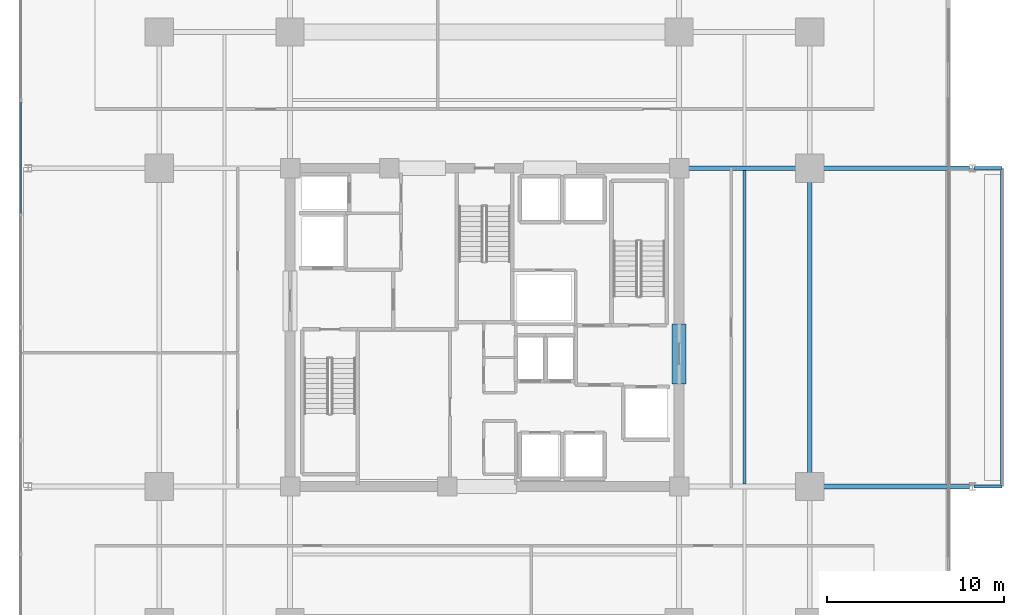
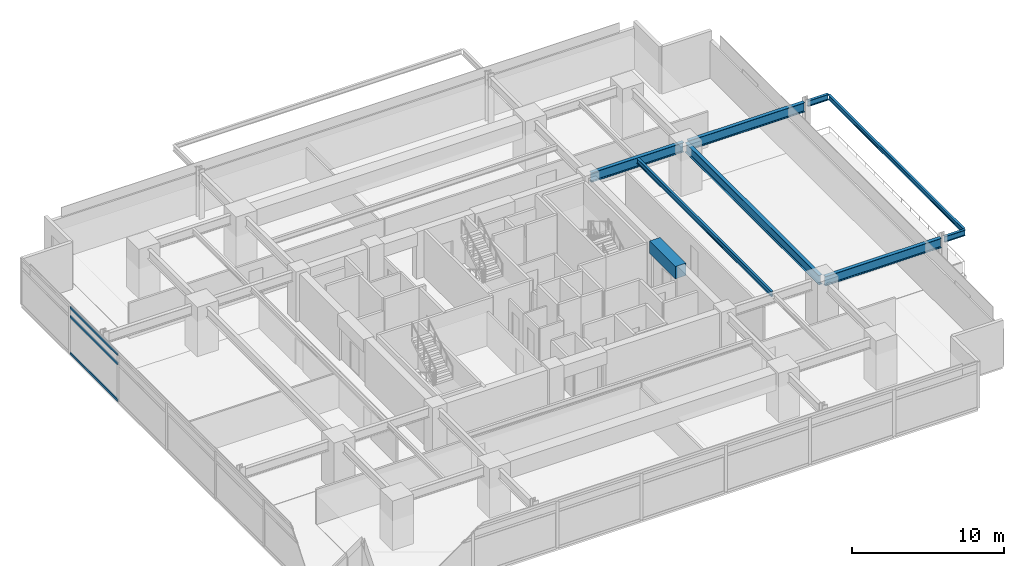
# One storey, part 9 of 20: 9 beams, 3 members, 1 element without a shape of its own.
"""IFC4 building model written with IfcOpenShell, lengths in metres."""

import ifcopenshell
import ifcopenshell.guid

model = None  # the IFC model being written
_history = None  # IfcOwnerHistory: only IFC2X3 demands one
_inside = {}  # id of a spatial element -> (the spatial element, [elements in it])
_under = {}  # id of a project, library or spatial element -> (it, [spatial elements below it])
_declared = {}  # id of a project -> (the project, [libraries it declares])
_typed = {}  # id of a type object -> (the type object, [elements of that type])
_made_of = {}  # id of a material, layer set ... -> (it, [elements and type objects made of it])


def new_model(schema):
    """Start an empty IFC model of exactly this schema.

    Asked for "IFC4X3", IfcOpenShell would pick the latest addendum, in which some entities
    have other attributes; the version numbers below select the first issue.
    IFC2X3 requires an IfcOwnerHistory on every rooted entity: one is made here for all.
    """
    global model, _history
    if schema == "IFC4X3":
        model = ifcopenshell.file(schema_version=(4, 3, 0, 0))
    else:
        model = ifcopenshell.file(schema=schema)
    _inside.clear()
    _under.clear()
    _declared.clear()
    _typed.clear()
    _made_of.clear()
    _history = None
    if model.schema == "IFC2X3":
        org = make("IfcOrganization", Name="unknown")
        user = make(
            "IfcPersonAndOrganization",
            ThePerson=make("IfcPerson", FamilyName="unknown"),
            TheOrganization=org,
        )
        app = make(
            "IfcApplication",
            ApplicationDeveloper=org,
            Version="unknown",
            ApplicationFullName="unknown",
            ApplicationIdentifier="unknown",
        )
        _history = make(
            "IfcOwnerHistory",
            OwningUser=user,
            OwningApplication=app,
            ChangeAction="ADDED",
            CreationDate=0,
        )
    return model


def make(cls, **values):
    """One entity of the class cls with the attributes given. An attribute that is None is left unset."""
    return model.create_entity(
        cls, **{name: value for name, value in values.items() if value is not None}
    )


def rooted(cls, **values):
    """An entity with a GlobalId (a new one), such as an element, a storey or a relation."""
    return make(cls, GlobalId=ifcopenshell.guid.new(), OwnerHistory=_history, **values)


def si_unit(unit_type, name, prefix=None):
    """IfcSIUnit, for example si_unit("LENGTHUNIT", "METRE", prefix="MILLI")."""
    return make("IfcSIUnit", UnitType=unit_type, Prefix=prefix, Name=name)


def assignment(units):
    """IfcUnitAssignment: the units of a project."""
    return None if units is None else make("IfcUnitAssignment", Units=units)


def point(xyz):
    """IfcCartesianPoint."""
    return None if xyz is None else make("IfcCartesianPoint", Coordinates=xyz)


def direction(xyz):
    """IfcDirection."""
    return None if xyz is None else make("IfcDirection", DirectionRatios=xyz)


def frame(location, z_axis=None, x_axis=None):
    """IfcAxis2Placement3D, a coordinate frame: its origin and axes. An axis left out is left unset."""
    return make(
        "IfcAxis2Placement3D",
        Location=point(location),
        Axis=direction(z_axis),
        RefDirection=direction(x_axis),
    )


def frame_2d(location, x_axis=None):
    """IfcAxis2Placement2D, a coordinate frame in the plane: its origin and x axis."""
    return make(
        "IfcAxis2Placement2D", Location=point(location), RefDirection=direction(x_axis)
    )


def origin():
    """The frame at (0, 0, 0) with its axes left unset."""
    return frame((0.0, 0.0, 0.0))


def origin_2d():
    """The frame at (0, 0) in the plane with its x axis left unset."""
    return frame_2d((0.0, 0.0))


def place(relative_to, where):
    """IfcLocalPlacement: puts the frame where relative to a parent placement (None: the world)."""
    return make(
        "IfcLocalPlacement", PlacementRelTo=relative_to, RelativePlacement=where
    )


def context(
    kind, dimensions, precision=None, world=None, true_north=None, identifier=None
):
    """IfcGeometricRepresentationContext, for example the 3D "Model" context."""
    return make(
        "IfcGeometricRepresentationContext",
        ContextIdentifier=identifier,
        ContextType=kind,
        CoordinateSpaceDimension=dimensions,
        Precision=precision,
        WorldCoordinateSystem=world,
        TrueNorth=true_north,
    )


def subcontext(parent, identifier, kind, view, scale=None):
    """IfcGeometricRepresentationSubContext, for example "Body" below "Model"."""
    return make(
        "IfcGeometricRepresentationSubContext",
        ContextIdentifier=identifier,
        ContextType=kind,
        ParentContext=parent,
        TargetScale=scale,
        TargetView=view,
    )


def project(units=None, contexts=None):
    """IfcProject with its units and contexts."""
    return rooted(
        "IfcProject",
        Name="project",
        RepresentationContexts=contexts,
        UnitsInContext=assignment(units),
    )


def spatial(cls, under=None, at=None, **own):
    """A site, building, storey or space (cls), placed at a placement, below another one or the project."""
    s = rooted(cls, ObjectPlacement=at, **own)
    if under is not None:
        _under.setdefault(under.id(), (under, []))[1].append(s)
    return s


def profile(cls, at=None, kind="AREA", **sizes):
    """A parametric profile (cls). Its sizes go by their IFC names, for example OverallWidth=200.0."""
    return make(cls, ProfileType=kind, Position=at, **sizes)


def rectangle(**sizes):
    """IfcRectangleProfileDef."""
    return profile("IfcRectangleProfileDef", **sizes)


def hollow_rectangle(**sizes):
    """IfcRectangleHollowProfileDef."""
    return profile("IfcRectangleHollowProfileDef", **sizes)


def i_section(**sizes):
    """IfcIShapeProfileDef."""
    return profile("IfcIShapeProfileDef", **sizes)


def extrude(swept, where, along, depth):
    """IfcExtrudedAreaSolid: the profile swept, set in the frame where, extruded along a direction by depth."""
    return make(
        "IfcExtrudedAreaSolid",
        SweptArea=swept,
        Position=where,
        ExtrudedDirection=direction(along),
        Depth=depth,
    )


def shape(context_of_items, identifier, shape_type, items):
    """IfcShapeRepresentation: the items that make up one representation, for example the "Body"."""
    return make(
        "IfcShapeRepresentation",
        ContextOfItems=context_of_items,
        RepresentationIdentifier=identifier,
        RepresentationType=shape_type,
        Items=items,
    )


def material(Name=None, Category=None):
    """IfcMaterial."""
    return make("IfcMaterial", Name=Name, Category=Category)


def material_profile(
    of_material, cross_section, Name=None, Category=None, Priority=None
):
    """IfcMaterialProfile: a cross section and its material."""
    return make(
        "IfcMaterialProfile",
        Name=Name,
        Material=of_material,
        Profile=cross_section,
        Priority=Priority,
        Category=Category,
    )


def profile_set(profiles, Name=None, composite=None):
    """IfcMaterialProfileSet."""
    return make(
        "IfcMaterialProfileSet",
        Name=Name,
        MaterialProfiles=profiles,
        CompositeProfile=composite,
    )


def made_of(thing, what):
    """Note that an element or type object is made of a material, layer set ...; save() writes the relation."""
    if what is not None:
        _made_of.setdefault(what.id(), (what, []))[1].append(thing)
    return thing


def type_object(cls, material=None, **own):
    """A type object (cls), such as IfcWallType, which elements share."""
    return made_of(rooted(cls, **own), material)


def element(
    cls,
    number,
    at=None,
    inside=None,
    cuts=None,
    type_object=None,
    material=None,
    context=None,
    identifier="Body",
    shape_type=None,
    held_by="IfcProductDefinitionShape",
    body=None,
    shapes=None,
    **own,
):
    """One element of the class cls, such as IfcWall. Its Tag is "e" and its number.

    at: its placement. inside: the storey or other place that contains it. cuts: it is an
    opening in that element (IfcRelVoidsElement). A single representation is given by context,
    identifier, shape_type and body (its items); several are given by shapes. held_by: the class
    of the entity that holds the representations. save() writes the other relations.
    """
    e = rooted(cls, Tag="e%d" % number, ObjectPlacement=at, **own)
    if body is not None:
        shapes = [shape(context, identifier, shape_type, body)]
    if shapes is not None:
        e.Representation = make(held_by, Representations=shapes)
    if inside is not None:
        _inside.setdefault(inside.id(), (inside, []))[1].append(e)
    if cuts is not None:
        rooted(
            "IfcRelVoidsElement", RelatingBuildingElement=cuts, RelatedOpeningElement=e
        )
    if type_object is not None:
        _typed.setdefault(type_object.id(), (type_object, []))[1].append(e)
    return made_of(e, material)


def aggregate(whole, parts):
    """IfcRelAggregates: a whole, such as a stair, and the parts it consists of."""
    return rooted("IfcRelAggregates", RelatingObject=whole, RelatedObjects=parts)


def save(model, path):
    """Write the relations noted so far, then the file.

    IfcRelAggregates (storeys below a building ...), IfcRelContainedInSpatialStructure (elements
    in a storey), IfcRelDefinesByType, IfcRelAssociatesMaterial and IfcRelDeclares: one each for
    every whole, place, type object, material and project.
    """
    for whole, parts in _under.values():
        aggregate(whole, parts)
    for where, things in _inside.values():
        rooted(
            "IfcRelContainedInSpatialStructure",
            RelatedElements=things,
            RelatingStructure=where,
        )
    for kind, things in _typed.values():
        rooted("IfcRelDefinesByType", RelatedObjects=things, RelatingType=kind)
    for what, things in _made_of.values():
        rooted("IfcRelAssociatesMaterial", RelatedObjects=things, RelatingMaterial=what)
    for by, libraries in _declared.values():
        rooted("IfcRelDeclares", RelatingContext=by, RelatedDefinitions=libraries)
    model.write(path)


model = new_model("IFC4")

# Units and contexts
model_context = context("Model", 3, precision=1e-05, world=origin(), true_north=direction((0.0, 1.0)))
body_context = subcontext(model_context, "Body", "Model", "MODEL_VIEW")
ifc_project = project(units=[si_unit("LENGTHUNIT", "METRE"), si_unit("AREAUNIT", "SQUARE_METRE"), si_unit("VOLUMEUNIT", "CUBIC_METRE"), si_unit("PLANEANGLEUNIT", "RADIAN"), si_unit("MASSUNIT", "GRAM", prefix="KILO")], contexts=[model_context])

# Site, building, storey
site_placement = place(None, origin())
site = spatial("IfcSite", under=ifc_project, at=site_placement, CompositionType="ELEMENT")
building_placement = place(site_placement, origin())
building = spatial("IfcBuilding", under=site, at=building_placement, Name="Kovane Verandah Tower", CompositionType="ELEMENT")
storey_placement = place(building_placement, frame((0.0, 0.0, 128.39990234375)))
storey = spatial("IfcBuildingStorey", under=building, at=storey_placement, Name="L29", CompositionType="ELEMENT", Elevation=128.39990234375)

# Beams
ifc_material_1 = material(Name="Concrete C60/75", Category="concrete")
ifc_material_profile_1 = material_profile(ifc_material_1, rectangle(XDim=0.800048828125, YDim=1.0, at=origin_2d()), Name="RCB800x1000")
ifc_profile_set_1 = profile_set([ifc_material_profile_1], Name="Concrete C60/75")
beam_type_1 = type_object("IfcBeamType", Name="BM-LINTEL-800x1000", PredefinedType="LINTEL", material=ifc_profile_set_1)
beam_1_placement = place(storey_placement, frame((51.0, 24.300048828125, 3.275146484375), z_axis=(0.0, 1.0, 0.0), x_axis=(-1.0, 0.0, 0.0)))
element("IfcBeam", 1, at=beam_1_placement, inside=storey, type_object=beam_type_1, Name="L29 Core Coupling Lintel CL-E", PredefinedType="LINTEL", context=body_context, shape_type="SweptSolid", body=[
    extrude(rectangle(XDim=0.800048828125, YDim=1.0, at=origin_2d()), origin(), (0.0, 0.0, 1.0), 3.39990234375),
])
ifc_material_2 = material(Name="Steel S355", Category="steel")
ifc_material_profile_2 = material_profile(ifc_material_2, i_section(OverallWidth=0.26806640625, OverallDepth=0.769775390625, WebThickness=0.015625, FlangeThickness=0.025390625, FilletRadius=0.0166015625, at=origin_2d()), Name="UB762x267x197")
ifc_profile_set_2 = profile_set([ifc_material_profile_2], Name="Steel S355")
beam_type_2 = type_object("IfcBeamType", Name="BM-UB762x197", PredefinedType="BEAM", material=ifc_profile_set_2)
beam_2_placement = place(storey_placement, frame((58.39990234375, 18.679931640625, 3.39013671875), z_axis=(0.0, 1.0, 0.0), x_axis=(-1.0, 0.0, 0.0)))
element("IfcBeam", 2, at=beam_2_placement, inside=storey, type_object=beam_type_2, Name="L29 Primary Tower Girder G-RE2", PredefinedType="BEAM", context=body_context, shape_type="SweptSolid", body=[
    extrude(i_section(OverallWidth=0.26806640625, OverallDepth=0.769775390625, WebThickness=0.015625, FlangeThickness=0.025390625, FilletRadius=0.0166015625, at=origin_2d()), origin(), (0.0, 0.0, 1.0), 17.64013671875),
])
beam_3_placement = place(storey_placement, frame((51.179931640625, 36.5, 3.39013671875), z_axis=(1.0, 0.0, 0.0), x_axis=(0.0, 1.0, 0.0)))
element("IfcBeam", 3, at=beam_3_placement, inside=storey, type_object=beam_type_2, Name="L29 Primary Tower Girder G-E2", PredefinedType="BEAM", context=body_context, shape_type="SweptSolid", body=[
    extrude(i_section(OverallWidth=0.26806640625, OverallDepth=0.769775390625, WebThickness=0.015625, FlangeThickness=0.025390625, FilletRadius=0.0166015625, at=origin_2d()), origin(), (0.0, 0.0, 1.0), 7.0400390625),
])
for number, where, z_axis, x_axis, name in (
    (4, (58.580078125, 18.5, 3.375244140625), (1.0, 0.0, 0.0), (0.0, 1.0, 0.0), "L29 Primary Tower Girder G-VE1"),
    (5, (58.580078125, 36.5, 3.375244140625), (1.0, 0.0, 0.0), (0.0, 1.0, 0.0), "L29 Primary Tower Girder G-VE2"),
):
    element("IfcBeam", number, at=place(storey_placement, frame(where, z_axis=z_axis, x_axis=x_axis)), inside=storey, type_object=beam_type_2, Name=name, PredefinedType="BEAM", context=body_context, shape_type="SweptSolid", body=[
        extrude(i_section(OverallWidth=0.26806640625, OverallDepth=0.769775390625, WebThickness=0.015625, FlangeThickness=0.025390625, FilletRadius=0.0166015625, at=origin_2d()), origin(), (0.0, 0.0, 1.0), 8.83984375),
    ])

# Curtain wall, members
ifc_material_3 = material(Name="Champagne Anodised Aluminium Frame with Low-E Clear Laminated Glass", Category="aluminium")
curtain_wall_type = type_object("IfcCurtainWallType", Name="CW-SYS-03-MID", PredefinedType="NOTDEFINED", material=ifc_material_3)
curtain_wall_placement = place(storey_placement, origin())
curtain_wall = element("IfcCurtainWall", 6, at=curtain_wall_placement, inside=storey, type_object=curtain_wall_type, Name="L29 W Unitised Curtain Wall", PredefinedType="NOTDEFINED")
ifc_material_4 = material(Name="Champagne Anodised Aluminium 6063-T6", Category="aluminium")
ifc_material_profile_3 = material_profile(ifc_material_4, hollow_rectangle(XDim=0.0849609375, YDim=0.18994140625, WallThickness=0.00390625, at=origin_2d()), Name="AL85x190x4")
ifc_profile_set_3 = profile_set([ifc_material_profile_3], Name="Champagne Anodised Aluminium 6063-T6")
member_type = type_object("IfcMemberType", Name="CW-TRN-85x190", PredefinedType="USERDEFINED", material=ifc_profile_set_3)
member_1_placement = place(storey_placement, frame((13.771240234375, 40.25, 0.050048828125), z_axis=(0.0, -1.0, 0.0), x_axis=(1.0, 0.0, 0.0)))
member_1 = element("IfcMember", 7, at=member_1_placement, type_object=member_type, Name="L29 W Unitised Curtain Wall Transom TB Bay 2", ObjectType="TRANSOM", PredefinedType="USERDEFINED", context=body_context, shape_type="SweptSolid", body=[
    extrude(hollow_rectangle(XDim=0.0849609375, YDim=0.18994140625, WallThickness=0.00390625, at=origin_2d()), origin(), (0.0, 0.0, 1.0), 6.300048828125),
])
member_2_placement = place(storey_placement, frame((13.771240234375, 40.25, 2.9951171875), z_axis=(0.0, -1.0, 0.0), x_axis=(1.0, 0.0, 0.0)))
member_2 = element("IfcMember", 8, at=member_2_placement, type_object=member_type, Name="L29 W Unitised Curtain Wall Transom TM Bay 2", ObjectType="TRANSOM", PredefinedType="USERDEFINED", context=body_context, shape_type="SweptSolid", body=[
    extrude(hollow_rectangle(XDim=0.0849609375, YDim=0.18994140625, WallThickness=0.00390625, at=origin_2d()), origin(), (0.0, 0.0, 1.0), 6.300048828125),
])
member_3_placement = place(storey_placement, frame((13.771240234375, 40.25, 3.72509765625), z_axis=(0.0, -1.0, 0.0), x_axis=(1.0, 0.0, 0.0)))
member_3 = element("IfcMember", 9, at=member_3_placement, type_object=member_type, Name="L29 W Unitised Curtain Wall Transom TT Bay 2", ObjectType="TRANSOM", PredefinedType="USERDEFINED", context=body_context, shape_type="SweptSolid", body=[
    extrude(hollow_rectangle(XDim=0.0849609375, YDim=0.18994140625, WallThickness=0.00390625, at=origin_2d()), origin(), (0.0, 0.0, 1.0), 6.300048828125),
])
aggregate(curtain_wall, [member_1, member_2, member_3])

# Beams
ifc_material_profile_4 = material_profile(ifc_material_2, i_section(OverallWidth=0.179443359375, OverallDepth=0.412841796875, WebThickness=0.009521484375, FlangeThickness=0.01611328125, FilletRadius=0.01025390625, at=origin_2d()), Name="UB406x178x74")
ifc_profile_set_4 = profile_set([ifc_material_profile_4], Name="Steel S355")
beam_type_3 = type_object("IfcBeamType", Name="JST-UB406x74", PredefinedType="JOIST", material=ifc_profile_set_4)
beam_4_placement = place(storey_placement, frame((54.699951171875, 18.632080078125, 3.568603515625), z_axis=(0.0, 1.0, 0.0), x_axis=(-1.0, 0.0, 0.0)))
element("IfcBeam", 10, at=beam_4_placement, inside=storey, type_object=beam_type_3, Name="L29 Secondary Composite Joist J-E1", PredefinedType="JOIST", context=body_context, shape_type="SweptSolid", body=[
    extrude(i_section(OverallWidth=0.179443359375, OverallDepth=0.412841796875, WebThickness=0.009521484375, FlangeThickness=0.01611328125, FilletRadius=0.01025390625, at=origin_2d()), origin(), (0.0, 0.0, 1.0), 17.73583984375),
])
ifc_material_profile_5 = material_profile(ifc_material_2, i_section(OverallWidth=0.19287109375, OverallDepth=0.46728515625, WebThickness=0.011474609375, FlangeThickness=0.01953125, FilletRadius=0.01025390625, at=origin_2d()), Name="UB457x191x98")
ifc_profile_set_5 = profile_set([ifc_material_profile_5], Name="Steel S355")
beam_type_4 = type_object("IfcBeamType", Name="JST-UB457x98", PredefinedType="JOIST", material=ifc_profile_set_5)
for number, where, z_axis, x_axis, name in (
    (11, (67.679931640625, 18.5, 3.526611328125), (1.0, 0.0, 0.0), (0.0, 1.0, 0.0), "L29 East Planter Girder 1"),
    (12, (67.679931640625, 36.5, 3.526611328125), (1.0, 0.0, 0.0), (0.0, 1.0, 0.0), "L29 East Planter Girder 2"),
):
    element("IfcBeam", number, at=place(storey_placement, frame(where, z_axis=z_axis, x_axis=x_axis)), inside=storey, type_object=beam_type_4, Name=name, PredefinedType="JOIST", context=body_context, shape_type="SweptSolid", body=[
        extrude(i_section(OverallWidth=0.19287109375, OverallDepth=0.46728515625, WebThickness=0.011474609375, FlangeThickness=0.01953125, FilletRadius=0.01025390625, at=origin_2d()), origin(), (0.0, 0.0, 1.0), 1.584228515625),
    ])
ifc_material_profile_6 = material_profile(ifc_material_2, i_section(OverallWidth=0.173095703125, OverallDepth=0.36328125, WebThickness=0.009033203125, FlangeThickness=0.015625, FilletRadius=0.01025390625, at=origin_2d()), Name="UB356x171x67")
ifc_profile_set_6 = profile_set([ifc_material_profile_6], Name="Steel S355")
beam_type_5 = type_object("IfcBeamType", Name="SPD-UB356x67", PredefinedType="USERDEFINED", material=ifc_profile_set_6)
beam_5_placement = place(storey_placement, frame((69.26416015625, 18.594482421875, 3.578369140625), z_axis=(0.0, 1.0, 0.0), x_axis=(-1.0, 0.0, 0.0)))
element("IfcBeam", 13, at=beam_5_placement, inside=storey, type_object=beam_type_5, Name="L29 East Planter Edge Spandrel", ObjectType="SPANDREL", PredefinedType="USERDEFINED", context=body_context, shape_type="SweptSolid", body=[
    extrude(i_section(OverallWidth=0.173095703125, OverallDepth=0.36328125, WebThickness=0.009033203125, FlangeThickness=0.015625, FilletRadius=0.01025390625, at=origin_2d()), origin(), (0.0, 0.0, 1.0), 17.81103515625),
])

save(model, "model.ifc")
